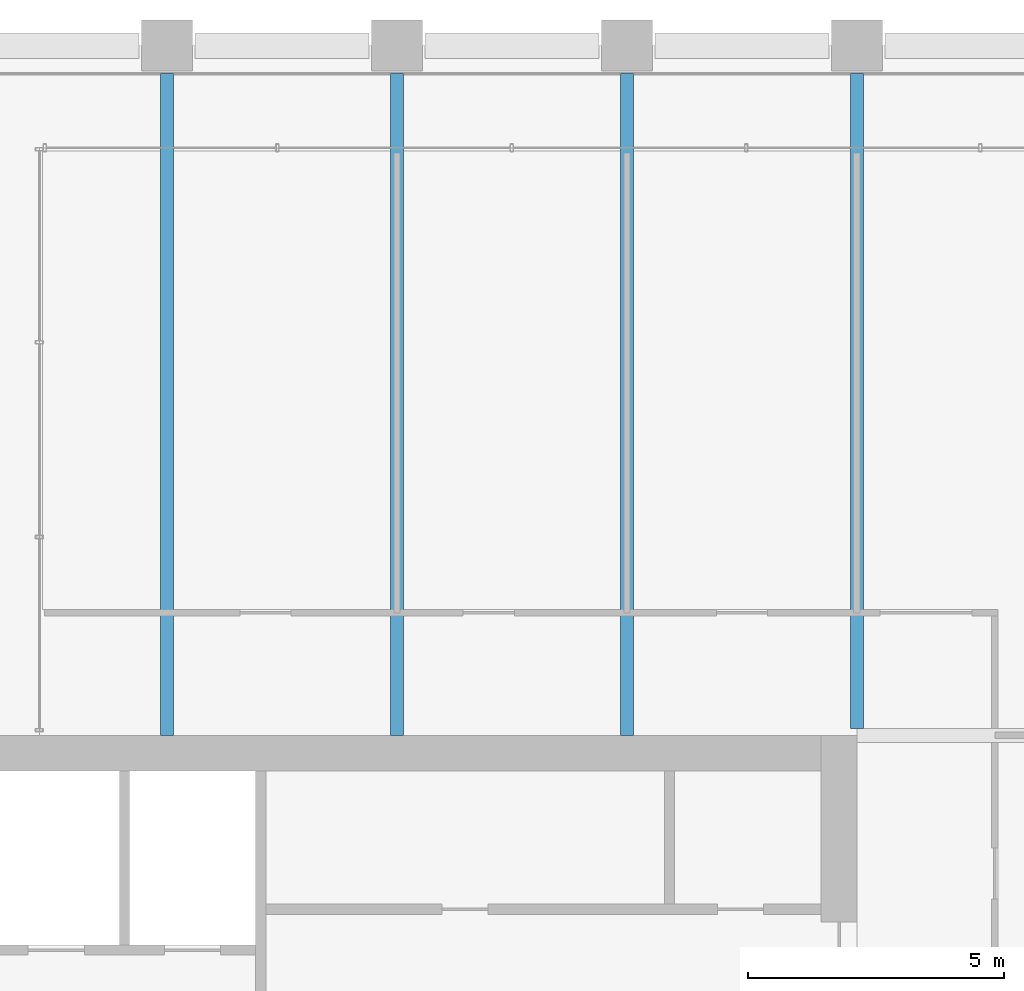
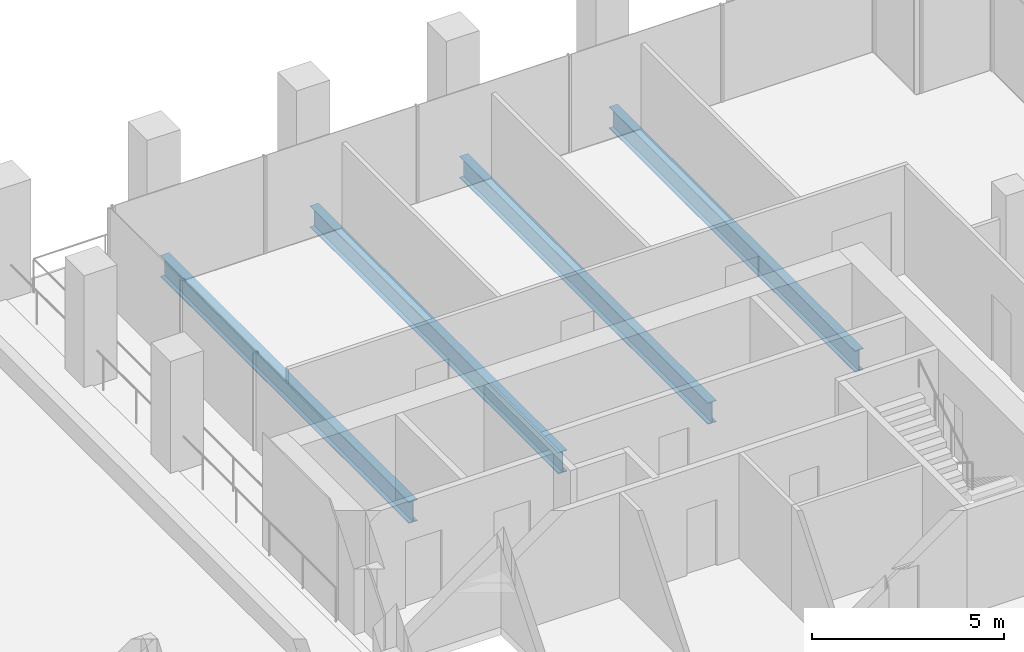
# One storey, part 24 of 52: 4 beams.
"""IFC4 building model written with IfcOpenShell, lengths in metres."""

from ifc_helpers import new_model, si_unit, direction, frame, origin, origin_2d, place, context, subcontext, project, spatial, i_section, extrude, material, material_profile, profile_set, type_object, element, save


model = new_model("IFC4")

# Units and contexts
model_context = context("Model", 3, precision=1e-05, world=origin(), true_north=direction((0.0, 1.0)))
body_context = subcontext(model_context, "Body", "Model", "MODEL_VIEW")
ifc_project = project(units=[si_unit("LENGTHUNIT", "METRE"), si_unit("AREAUNIT", "SQUARE_METRE"), si_unit("VOLUMEUNIT", "CUBIC_METRE"), si_unit("PLANEANGLEUNIT", "RADIAN"), si_unit("MASSUNIT", "GRAM", prefix="KILO")], contexts=[model_context])

# Site, building, storey
site_placement = place(None, origin())
site = spatial("IfcSite", under=ifc_project, at=site_placement, CompositionType="ELEMENT")
building_placement = place(site_placement, origin())
building = spatial("IfcBuilding", under=site, at=building_placement, Name="Altepetl Exchange Towers", CompositionType="ELEMENT")
storey_placement = place(building_placement, frame((0.0, 0.0, 92.0)))
storey = spatial("IfcBuildingStorey", under=building, at=storey_placement, Name="L22", CompositionType="ELEMENT", Elevation=92.0)

# Beams
ifc_material = material(Name="Steel S355", Category="steel")
ifc_material_profile = material_profile(ifc_material, i_section(OverallWidth=0.25390625, OverallDepth=0.68408203125, WebThickness=0.012451171875, FlangeThickness=0.018798828125, at=origin_2d()), Name="W27X94")
ifc_profile_set = profile_set([ifc_material_profile], Name="Steel S355")
beam_type = type_object("IfcBeamType", Name="Floor beam W27X94", PredefinedType="BEAM", material=ifc_profile_set)
for number, where, z_axis, x_axis, name in (
    (1, (45.0, 58.5, -0.491943359375), (0.0, 1.0, 0.0), (-1.0, 0.0, 0.0), "bm:A:L22:000"),
    (2, (49.5, 58.5, -0.491943359375), (0.0, 1.0, 0.0), (-1.0, 0.0, 0.0), "bm:A:L22:001"),
    (3, (54.0, 58.5, -0.491943359375), (0.0, 1.0, 0.0), (-1.0, 0.0, 0.0), "bm:A:L22:002"),
):
    element("IfcBeam", number, at=place(storey_placement, frame(where, z_axis=z_axis, x_axis=x_axis)), inside=storey, type_object=beam_type, Name=name, PredefinedType="BEAM", context=body_context, shape_type="SweptSolid", body=[
        extrude(i_section(OverallWidth=0.25390625, OverallDepth=0.68408203125, WebThickness=0.012451171875, FlangeThickness=0.018798828125, at=origin_2d()), origin(), (0.0, 0.0, 1.0), 12.949951171875),
    ])
beam_placement = place(storey_placement, frame((58.5, 58.634033203125, -0.491943359375), z_axis=(0.0, 1.0, 0.0), x_axis=(-1.0, 0.0, 0.0)))
element("IfcBeam", 4, at=beam_placement, inside=storey, type_object=beam_type, Name="bm:A:L22:003", PredefinedType="BEAM", context=body_context, shape_type="SweptSolid", body=[
    extrude(i_section(OverallWidth=0.25390625, OverallDepth=0.68408203125, WebThickness=0.012451171875, FlangeThickness=0.018798828125, at=origin_2d()), origin(), (0.0, 0.0, 1.0), 12.81591796875),
])

save(model, "model.ifc")
